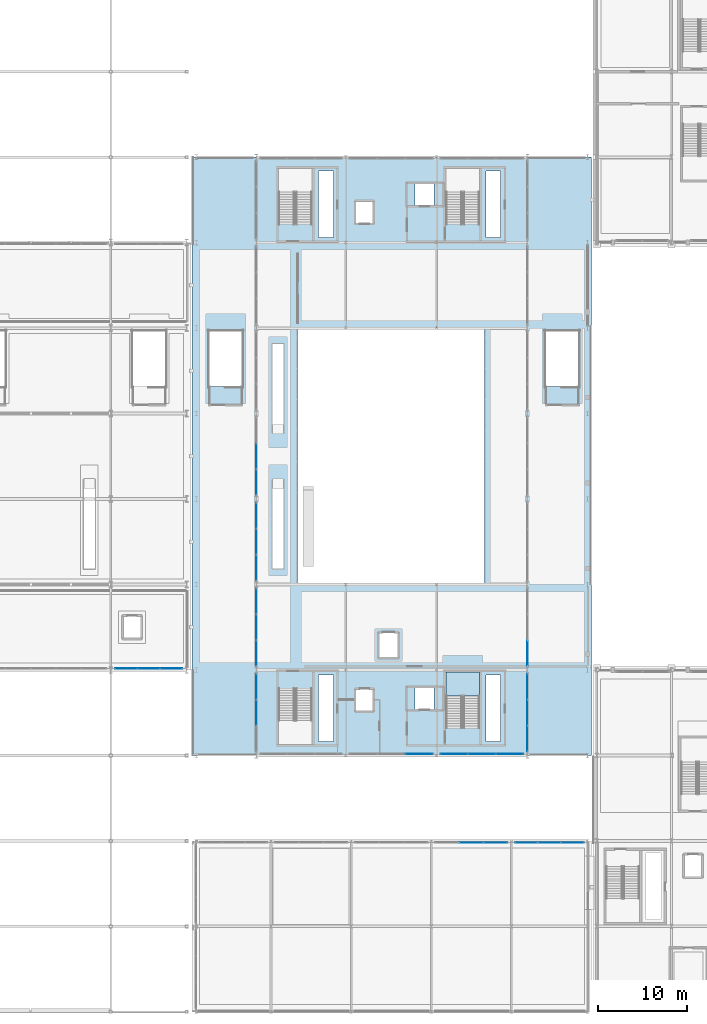
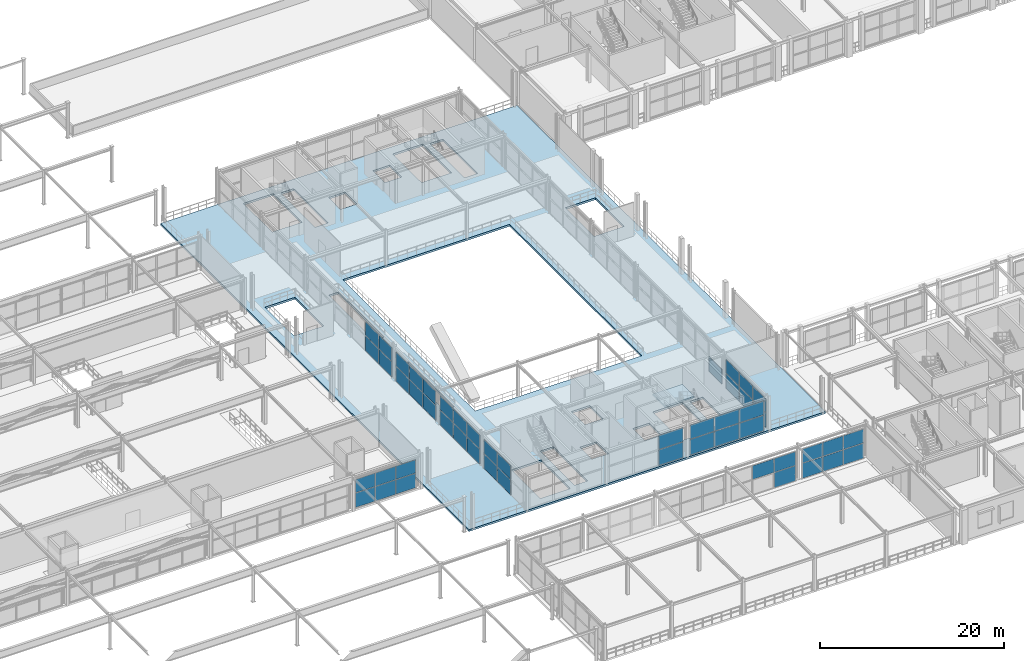
# One storey, part 60 of 125: 50 plates, 2 slabs, 12 elements without a shape of their own.
"""IFC4 building model written with IfcOpenShell, lengths in metres."""

from ifc_helpers import new_model, si_unit, direction, frame, origin, origin_2d, place, context, subcontext, project, spatial, polyline, rectangle, outline, extrude, material, layer, layer_set, type_object, element, aggregate, save


model = new_model("IFC4")

# Units and contexts
model_context = context("Model", 3, precision=1e-05, world=origin(), true_north=direction((0.0, 1.0)))
body_context = subcontext(model_context, "Body", "Model", "MODEL_VIEW")
ifc_project = project(units=[si_unit("LENGTHUNIT", "METRE"), si_unit("AREAUNIT", "SQUARE_METRE"), si_unit("VOLUMEUNIT", "CUBIC_METRE"), si_unit("PLANEANGLEUNIT", "RADIAN"), si_unit("MASSUNIT", "GRAM", prefix="KILO")], contexts=[model_context])

# Site, building, storey
site_placement = place(None, origin())
site = spatial("IfcSite", under=ifc_project, at=site_placement, CompositionType="ELEMENT")
building_placement = place(site_placement, origin())
building = spatial("IfcBuilding", under=site, at=building_placement, Name="Myrtia Square Station", CompositionType="ELEMENT")
storey_placement = place(building_placement, frame((0.0, 0.0, 6.0)))
storey = spatial("IfcBuildingStorey", under=building, at=storey_placement, Name="L01", CompositionType="ELEMENT", Elevation=6.0)

# Curtain wall, plates
ifc_material_1 = material(Name="Dark bronze anodised aluminium", Category="aluminium")
ifc_layer_1 = layer(ifc_material_1, 0.159912109375, Name="Dark bronze anodised aluminium")
ifc_layer_set_1 = layer_set([ifc_layer_1], Name="Dark bronze anodised aluminium")
curtain_wall_type_1 = type_object("IfcCurtainWallType", Name="CW-TYPE-04-880x400", PredefinedType="USERDEFINED", material=ifc_layer_set_1)
curtain_wall_1_placement = place(storey_placement, origin())
curtain_wall_1 = element("IfcCurtainWall", 1, at=curtain_wall_1_placement, inside=storey, type_object=curtain_wall_type_1, Name="Concourse curtain wall CW-L01-006", ObjectType="CONCOURSE CURTAIN WALL", PredefinedType="USERDEFINED")
ifc_material_2 = material(Name="Tinted low-E solar control glass", Category="glass")
ifc_layer_2 = layer(ifc_material_2, 0.02392578125, Name="Tinted low-E solar control glass")
ifc_layer_set_2 = layer_set([ifc_layer_2], Name="Tinted low-E solar control glass")
plate_type_1 = type_object("IfcPlateType", Name="CWP-GLZ-24", PredefinedType="CURTAIN_PANEL", material=ifc_layer_set_2)
plate_1_placement = place(storey_placement, frame((109.800048828125, 30.685302734375, 0.0751953125), z_axis=(0.0, 0.0, 1.0), x_axis=(0.0, 1.0, 0.0)))
plate_1 = element("IfcPlate", 2, at=plate_1_placement, type_object=plate_type_1, Name="CW-006 panel 1.1", PredefinedType="CURTAIN_PANEL", context=body_context, shape_type="SweptSolid", body=[
    extrude(rectangle(XDim=2.82080078125, YDim=0.02392578125, at=origin_2d()), origin(), (0.0, 0.0, 1.0), 1.967529296875),
])
plate_2_placement = place(storey_placement, frame((109.800048828125, 30.685302734375, 2.117431640625), z_axis=(0.0, 0.0, 1.0), x_axis=(0.0, 1.0, 0.0)))
plate_2 = element("IfcPlate", 3, at=plate_2_placement, type_object=plate_type_1, Name="CW-006 panel 1.2", PredefinedType="CURTAIN_PANEL", context=body_context, shape_type="SweptSolid", body=[
    extrude(rectangle(XDim=2.82080078125, YDim=0.02392578125, at=origin_2d()), origin(), (0.0, 0.0, 1.0), 1.8076171875),
])
plate_3_placement = place(storey_placement, frame((109.800048828125, 33.60009765625, 0.0751953125), z_axis=(0.0, 0.0, 1.0), x_axis=(0.0, 1.0, 0.0)))
plate_3 = element("IfcPlate", 4, at=plate_3_placement, type_object=plate_type_1, Name="CW-006 panel 2.1", PredefinedType="CURTAIN_PANEL", context=body_context, shape_type="SweptSolid", body=[
    extrude(rectangle(XDim=2.8583984375, YDim=0.02392578125, at=origin_2d()), origin(), (0.0, 0.0, 1.0), 1.967529296875),
])
plate_4_placement = place(storey_placement, frame((109.800048828125, 33.60009765625, 2.117431640625), z_axis=(0.0, 0.0, 1.0), x_axis=(0.0, 1.0, 0.0)))
plate_4 = element("IfcPlate", 5, at=plate_4_placement, type_object=plate_type_1, Name="CW-006 panel 2.2", PredefinedType="CURTAIN_PANEL", context=body_context, shape_type="SweptSolid", body=[
    extrude(rectangle(XDim=2.8583984375, YDim=0.02392578125, at=origin_2d()), origin(), (0.0, 0.0, 1.0), 1.8076171875),
])
plate_5_placement = place(storey_placement, frame((109.800048828125, 36.5146484375, 0.0751953125), z_axis=(0.0, 0.0, 1.0), x_axis=(0.0, 1.0, 0.0)))
plate_5 = element("IfcPlate", 6, at=plate_5_placement, type_object=plate_type_1, Name="CW-006 panel 3.1", PredefinedType="CURTAIN_PANEL", context=body_context, shape_type="SweptSolid", body=[
    extrude(rectangle(XDim=2.82080078125, YDim=0.02392578125, at=origin_2d()), origin(), (0.0, 0.0, 1.0), 1.967529296875),
])
plate_6_placement = place(storey_placement, frame((109.800048828125, 36.5146484375, 2.117431640625), z_axis=(0.0, 0.0, 1.0), x_axis=(0.0, 1.0, 0.0)))
plate_6 = element("IfcPlate", 7, at=plate_6_placement, type_object=plate_type_1, Name="CW-006 panel 3.2", PredefinedType="CURTAIN_PANEL", context=body_context, shape_type="SweptSolid", body=[
    extrude(rectangle(XDim=2.82080078125, YDim=0.02392578125, at=origin_2d()), origin(), (0.0, 0.0, 1.0), 1.8076171875),
])
aggregate(curtain_wall_1, [plate_1, plate_2, plate_3, plate_4, plate_5, plate_6])

ifc_layer_3 = layer(ifc_material_1, 0.159912109375, Name="Dark bronze anodised aluminium")
ifc_layer_set_3 = layer_set([ifc_layer_3], Name="Dark bronze anodised aluminium")
curtain_wall_type_2 = type_object("IfcCurtainWallType", Name="CW-TYPE-03-880x400", PredefinedType="USERDEFINED", material=ifc_layer_set_3)
curtain_wall_2_placement = place(storey_placement, origin())
curtain_wall_2 = element("IfcCurtainWall", 8, at=curtain_wall_2_placement, inside=storey, type_object=curtain_wall_type_2, Name="Concourse curtain wall CW-L01-007", ObjectType="CONCOURSE CURTAIN WALL", PredefinedType="USERDEFINED")
plate_7_placement = place(storey_placement, frame((79.35009765625, 40.282958984375, 0.06494140625), z_axis=(0.0, 0.0, 1.0), x_axis=(0.0, 1.0, 0.0)))
plate_7 = element("IfcPlate", 9, at=plate_7_placement, type_object=plate_type_1, Name="CW-007 panel 1.1", PredefinedType="CURTAIN_PANEL", context=body_context, shape_type="SweptSolid", body=[
    extrude(rectangle(XDim=2.8359375, YDim=0.02392578125, at=origin_2d()), origin(), (0.0, 0.0, 1.0), 1.982421875),
])
plate_8_placement = place(storey_placement, frame((79.35009765625, 40.282958984375, 2.1123046875), z_axis=(0.0, 0.0, 1.0), x_axis=(0.0, 1.0, 0.0)))
plate_8 = element("IfcPlate", 10, at=plate_8_placement, type_object=plate_type_1, Name="CW-007 panel 1.2", PredefinedType="CURTAIN_PANEL", context=body_context, shape_type="SweptSolid", body=[
    extrude(rectangle(XDim=2.8359375, YDim=0.02392578125, at=origin_2d()), origin(), (0.0, 0.0, 1.0), 1.822509765625),
])
plate_9_placement = place(storey_placement, frame((79.35009765625, 43.199951171875, 0.06494140625), z_axis=(0.0, 0.0, 1.0), x_axis=(0.0, 1.0, 0.0)))
plate_9 = element("IfcPlate", 11, at=plate_9_placement, type_object=plate_type_1, Name="CW-007 panel 2.1", PredefinedType="CURTAIN_PANEL", context=body_context, shape_type="SweptSolid", body=[
    extrude(rectangle(XDim=2.868408203125, YDim=0.02392578125, at=origin_2d()), origin(), (0.0, 0.0, 1.0), 1.982421875),
])
plate_10_placement = place(storey_placement, frame((79.35009765625, 43.199951171875, 2.1123046875), z_axis=(0.0, 0.0, 1.0), x_axis=(0.0, 1.0, 0.0)))
plate_10 = element("IfcPlate", 12, at=plate_10_placement, type_object=plate_type_1, Name="CW-007 panel 2.2", PredefinedType="CURTAIN_PANEL", context=body_context, shape_type="SweptSolid", body=[
    extrude(rectangle(XDim=2.868408203125, YDim=0.02392578125, at=origin_2d()), origin(), (0.0, 0.0, 1.0), 1.822509765625),
])
plate_11_placement = place(storey_placement, frame((79.35009765625, 46.1171875, 0.06494140625), z_axis=(0.0, 0.0, 1.0), x_axis=(0.0, 1.0, 0.0)))
plate_11 = element("IfcPlate", 13, at=plate_11_placement, type_object=plate_type_1, Name="CW-007 panel 3.1", PredefinedType="CURTAIN_PANEL", context=body_context, shape_type="SweptSolid", body=[
    extrude(rectangle(XDim=2.8359375, YDim=0.02392578125, at=origin_2d()), origin(), (0.0, 0.0, 1.0), 1.982421875),
])
plate_12_placement = place(storey_placement, frame((79.35009765625, 46.1171875, 2.1123046875), z_axis=(0.0, 0.0, 1.0), x_axis=(0.0, 1.0, 0.0)))
plate_12 = element("IfcPlate", 14, at=plate_12_placement, type_object=plate_type_1, Name="CW-007 panel 3.2", PredefinedType="CURTAIN_PANEL", context=body_context, shape_type="SweptSolid", body=[
    extrude(rectangle(XDim=2.8359375, YDim=0.02392578125, at=origin_2d()), origin(), (0.0, 0.0, 1.0), 1.822509765625),
])
aggregate(curtain_wall_2, [plate_7, plate_8, plate_9, plate_10, plate_11, plate_12])

curtain_wall_3_placement = place(storey_placement, origin())
curtain_wall_3 = element("IfcCurtainWall", 15, at=curtain_wall_3_placement, inside=storey, type_object=curtain_wall_type_2, Name="Concourse curtain wall CW-L01-011", ObjectType="CONCOURSE CURTAIN WALL", PredefinedType="USERDEFINED")
plate_13_placement = place(storey_placement, frame((79.35009765625, 59.48291015625, 0.06494140625), z_axis=(0.0, 0.0, 1.0), x_axis=(0.0, 1.0, 0.0)))
plate_13 = element("IfcPlate", 16, at=plate_13_placement, type_object=plate_type_1, Name="CW-011 panel 1.1", PredefinedType="CURTAIN_PANEL", context=body_context, shape_type="SweptSolid", body=[
    extrude(rectangle(XDim=2.8359375, YDim=0.02392578125, at=origin_2d()), origin(), (0.0, 0.0, 1.0), 1.982421875),
])
plate_14_placement = place(storey_placement, frame((79.35009765625, 59.48291015625, 2.1123046875), z_axis=(0.0, 0.0, 1.0), x_axis=(0.0, 1.0, 0.0)))
plate_14 = element("IfcPlate", 17, at=plate_14_placement, type_object=plate_type_1, Name="CW-011 panel 1.2", PredefinedType="CURTAIN_PANEL", context=body_context, shape_type="SweptSolid", body=[
    extrude(rectangle(XDim=2.8359375, YDim=0.02392578125, at=origin_2d()), origin(), (0.0, 0.0, 1.0), 1.822509765625),
])
plate_15_placement = place(storey_placement, frame((79.35009765625, 62.39990234375, 0.06494140625), z_axis=(0.0, 0.0, 1.0), x_axis=(0.0, 1.0, 0.0)))
plate_15 = element("IfcPlate", 18, at=plate_15_placement, type_object=plate_type_1, Name="CW-011 panel 2.1", PredefinedType="CURTAIN_PANEL", context=body_context, shape_type="SweptSolid", body=[
    extrude(rectangle(XDim=2.868408203125, YDim=0.02392578125, at=origin_2d()), origin(), (0.0, 0.0, 1.0), 1.982421875),
])
plate_16_placement = place(storey_placement, frame((79.35009765625, 62.39990234375, 2.1123046875), z_axis=(0.0, 0.0, 1.0), x_axis=(0.0, 1.0, 0.0)))
plate_16 = element("IfcPlate", 19, at=plate_16_placement, type_object=plate_type_1, Name="CW-011 panel 2.2", PredefinedType="CURTAIN_PANEL", context=body_context, shape_type="SweptSolid", body=[
    extrude(rectangle(XDim=2.868408203125, YDim=0.02392578125, at=origin_2d()), origin(), (0.0, 0.0, 1.0), 1.822509765625),
])
aggregate(curtain_wall_3, [plate_13, plate_14, plate_15, plate_16])

ifc_layer_4 = layer(ifc_material_1, 0.159912109375, Name="Dark bronze anodised aluminium")
ifc_layer_set_4 = layer_set([ifc_layer_4], Name="Dark bronze anodised aluminium")
curtain_wall_type_3 = type_object("IfcCurtainWallType", Name="CW-TYPE-10-946x415", PredefinedType="USERDEFINED", material=ifc_layer_set_4)
curtain_wall_4_placement = place(storey_placement, origin())
curtain_wall_4 = element("IfcCurtainWall", 20, at=curtain_wall_4_placement, inside=storey, type_object=curtain_wall_type_3, Name="Concourse curtain wall CW-L01-043", ObjectType="CONCOURSE CURTAIN WALL", PredefinedType="USERDEFINED")
ifc_layer_5 = layer(ifc_material_2, 0.028076171875, Name="Tinted low-E solar control glass")
ifc_layer_set_5 = layer_set([ifc_layer_5], Name="Tinted low-E solar control glass")
plate_type_2 = type_object("IfcPlateType", Name="CWP-GLZ-28", PredefinedType="CURTAIN_PANEL", material=ifc_layer_set_5)
plate_17_placement = place(storey_placement, frame((97.634521484375, 28.949951171875, 0.074951171875), z_axis=(0.0, 0.0, 1.0), x_axis=(1.0, 0.0, 0.0)))
plate_17 = element("IfcPlate", 21, at=plate_17_placement, type_object=plate_type_2, Name="CW-043 panel 3.1", PredefinedType="CURTAIN_PANEL", context=body_context, shape_type="SweptSolid", body=[
    extrude(rectangle(XDim=3.040771484375, YDim=0.028076171875, at=origin_2d()), origin(), (0.0, 0.0, 1.0), 2.04541015625),
])
plate_18_placement = place(storey_placement, frame((97.634521484375, 28.949951171875, 2.195556640625), z_axis=(0.0, 0.0, 1.0), x_axis=(1.0, 0.0, 0.0)))
plate_18 = element("IfcPlate", 22, at=plate_18_placement, type_object=plate_type_2, Name="CW-043 panel 3.2", PredefinedType="CURTAIN_PANEL", context=body_context, shape_type="SweptSolid", body=[
    extrude(rectangle(XDim=3.040771484375, YDim=0.028076171875, at=origin_2d()), origin(), (0.0, 0.0, 1.0), 1.87939453125),
])
aggregate(curtain_wall_4, [plate_17, plate_18])

ifc_layer_6 = layer(ifc_material_1, 0.159912109375, Name="Dark bronze anodised aluminium")
ifc_layer_set_6 = layer_set([ifc_layer_6], Name="Dark bronze anodised aluminium")
curtain_wall_type_4 = type_object("IfcCurtainWallType", Name="CW-TYPE-34-781x400", PredefinedType="USERDEFINED", material=ifc_layer_set_6)
curtain_wall_5_placement = place(storey_placement, origin())
curtain_wall_5 = element("IfcCurtainWall", 23, at=curtain_wall_5_placement, inside=storey, type_object=curtain_wall_type_4, Name="Concourse curtain wall CW-L01-112", ObjectType="CONCOURSE CURTAIN WALL", PredefinedType="USERDEFINED")
plate_19_placement = place(storey_placement, frame((109.68798828125, 19.0, 0.06494140625), z_axis=(0.0, 0.0, 1.0), x_axis=(1.0, 0.0, 0.0)))
plate_19 = element("IfcPlate", 24, at=plate_19_placement, type_object=plate_type_2, Name="CW-112 panel 1.1", PredefinedType="CURTAIN_PANEL", context=body_context, shape_type="SweptSolid", body=[
    extrude(rectangle(XDim=2.505859375, YDim=0.028076171875, at=origin_2d()), origin(), (0.0, 0.0, 1.0), 1.982421875),
])
plate_20_placement = place(storey_placement, frame((109.68798828125, 19.0, 2.1123046875), z_axis=(0.0, 0.0, 1.0), x_axis=(1.0, 0.0, 0.0)))
plate_20 = element("IfcPlate", 25, at=plate_20_placement, type_object=plate_type_2, Name="CW-112 panel 1.2", PredefinedType="CURTAIN_PANEL", context=body_context, shape_type="SweptSolid", body=[
    extrude(rectangle(XDim=2.505859375, YDim=0.028076171875, at=origin_2d()), origin(), (0.0, 0.0, 1.0), 1.822509765625),
])
plate_21_placement = place(storey_placement, frame((112.27490234375, 19.0, 0.06494140625), z_axis=(0.0, 0.0, 1.0), x_axis=(1.0, 0.0, 0.0)))
plate_21 = element("IfcPlate", 26, at=plate_21_placement, type_object=plate_type_2, Name="CW-112 panel 2.1", PredefinedType="CURTAIN_PANEL", context=body_context, shape_type="SweptSolid", body=[
    extrude(rectangle(XDim=2.538330078125, YDim=0.028076171875, at=origin_2d()), origin(), (0.0, 0.0, 1.0), 1.982421875),
])
plate_22_placement = place(storey_placement, frame((112.27490234375, 19.0, 2.1123046875), z_axis=(0.0, 0.0, 1.0), x_axis=(1.0, 0.0, 0.0)))
plate_22 = element("IfcPlate", 27, at=plate_22_placement, type_object=plate_type_2, Name="CW-112 panel 2.2", PredefinedType="CURTAIN_PANEL", context=body_context, shape_type="SweptSolid", body=[
    extrude(rectangle(XDim=2.538330078125, YDim=0.028076171875, at=origin_2d()), origin(), (0.0, 0.0, 1.0), 1.822509765625),
])
plate_23_placement = place(storey_placement, frame((114.862060546875, 19.0, 0.06494140625), z_axis=(0.0, 0.0, 1.0), x_axis=(1.0, 0.0, 0.0)))
plate_23 = element("IfcPlate", 28, at=plate_23_placement, type_object=plate_type_2, Name="CW-112 panel 3.1", PredefinedType="CURTAIN_PANEL", context=body_context, shape_type="SweptSolid", body=[
    extrude(rectangle(XDim=2.505859375, YDim=0.028076171875, at=origin_2d()), origin(), (0.0, 0.0, 1.0), 1.982421875),
])
plate_24_placement = place(storey_placement, frame((114.862060546875, 19.0, 2.1123046875), z_axis=(0.0, 0.0, 1.0), x_axis=(1.0, 0.0, 0.0)))
plate_24 = element("IfcPlate", 29, at=plate_24_placement, type_object=plate_type_2, Name="CW-112 panel 3.2", PredefinedType="CURTAIN_PANEL", context=body_context, shape_type="SweptSolid", body=[
    extrude(rectangle(XDim=2.505859375, YDim=0.028076171875, at=origin_2d()), origin(), (0.0, 0.0, 1.0), 1.822509765625),
])
aggregate(curtain_wall_5, [plate_19, plate_20, plate_21, plate_22, plate_23, plate_24])

curtain_wall_6_placement = place(storey_placement, origin())
curtain_wall_6 = element("IfcCurtainWall", 30, at=curtain_wall_6_placement, inside=storey, type_object=curtain_wall_type_2, Name="Concourse curtain wall CW-L01-005", ObjectType="CONCOURSE CURTAIN WALL", PredefinedType="USERDEFINED")
ifc_layer_7 = layer(ifc_material_2, 0.031982421875, Name="Tinted low-E solar control glass")
ifc_layer_set_7 = layer_set([ifc_layer_7], Name="Tinted low-E solar control glass")
plate_type_3 = type_object("IfcPlateType", Name="CWP-GLZ-32", PredefinedType="CURTAIN_PANEL", material=ifc_layer_set_7)
plate_25_placement = place(storey_placement, frame((79.35009765625, 33.60009765625, 0.06494140625), z_axis=(0.0, 0.0, 1.0), x_axis=(0.0, 1.0, 0.0)))
plate_25 = element("IfcPlate", 31, at=plate_25_placement, type_object=plate_type_3, Name="CW-005 panel 2.1", PredefinedType="CURTAIN_PANEL", context=body_context, shape_type="SweptSolid", body=[
    extrude(rectangle(XDim=2.868408203125, YDim=0.031982421875, at=origin_2d()), origin(), (0.0, 0.0, 1.0), 1.982421875),
])
plate_26_placement = place(storey_placement, frame((79.35009765625, 33.60009765625, 2.1123046875), z_axis=(0.0, 0.0, 1.0), x_axis=(0.0, 1.0, 0.0)))
plate_26 = element("IfcPlate", 32, at=plate_26_placement, type_object=plate_type_3, Name="CW-005 panel 2.2", PredefinedType="CURTAIN_PANEL", context=body_context, shape_type="SweptSolid", body=[
    extrude(rectangle(XDim=2.868408203125, YDim=0.031982421875, at=origin_2d()), origin(), (0.0, 0.0, 1.0), 1.822509765625),
])
plate_27_placement = place(storey_placement, frame((79.35009765625, 36.51708984375, 0.06494140625), z_axis=(0.0, 0.0, 1.0), x_axis=(0.0, 1.0, 0.0)))
plate_27 = element("IfcPlate", 33, at=plate_27_placement, type_object=plate_type_3, Name="CW-005 panel 3.1", PredefinedType="CURTAIN_PANEL", context=body_context, shape_type="SweptSolid", body=[
    extrude(rectangle(XDim=2.8359375, YDim=0.031982421875, at=origin_2d()), origin(), (0.0, 0.0, 1.0), 1.982421875),
])
plate_28_placement = place(storey_placement, frame((79.35009765625, 36.51708984375, 2.1123046875), z_axis=(0.0, 0.0, 1.0), x_axis=(0.0, 1.0, 0.0)))
plate_28 = element("IfcPlate", 34, at=plate_28_placement, type_object=plate_type_3, Name="CW-005 panel 3.2", PredefinedType="CURTAIN_PANEL", context=body_context, shape_type="SweptSolid", body=[
    extrude(rectangle(XDim=2.8359375, YDim=0.031982421875, at=origin_2d()), origin(), (0.0, 0.0, 1.0), 1.822509765625),
])
aggregate(curtain_wall_6, [plate_25, plate_26, plate_27, plate_28])

# Curtain wall, plate
curtain_wall_7_placement = place(storey_placement, origin())
curtain_wall_7 = element("IfcCurtainWall", 35, at=curtain_wall_7_placement, inside=storey, type_object=curtain_wall_type_1, Name="Concourse curtain wall CW-L01-008", ObjectType="CONCOURSE CURTAIN WALL", PredefinedType="USERDEFINED")
plate_29_placement = place(storey_placement, frame((109.800048828125, 40.285400390625, 0.0751953125), z_axis=(0.0, 0.0, 1.0), x_axis=(0.0, 1.0, 0.0)))
plate_29 = element("IfcPlate", 36, at=plate_29_placement, type_object=plate_type_3, Name="CW-008 panel 1.1", PredefinedType="CURTAIN_PANEL", context=body_context, shape_type="SweptSolid", body=[
    extrude(rectangle(XDim=2.82080078125, YDim=0.031982421875, at=origin_2d()), origin(), (0.0, 0.0, 1.0), 1.967529296875),
])
aggregate(curtain_wall_7, [plate_29])

# Curtain wall, plates
curtain_wall_8_placement = place(storey_placement, origin())
curtain_wall_8 = element("IfcCurtainWall", 37, at=curtain_wall_8_placement, inside=storey, type_object=curtain_wall_type_2, Name="Concourse curtain wall CW-L01-009", ObjectType="CONCOURSE CURTAIN WALL", PredefinedType="USERDEFINED")
plate_30_placement = place(storey_placement, frame((79.35009765625, 49.8828125, 0.06494140625), z_axis=(0.0, 0.0, 1.0), x_axis=(0.0, 1.0, 0.0)))
plate_30 = element("IfcPlate", 38, at=plate_30_placement, type_object=plate_type_3, Name="CW-009 panel 1.1", PredefinedType="CURTAIN_PANEL", context=body_context, shape_type="SweptSolid", body=[
    extrude(rectangle(XDim=2.8359375, YDim=0.031982421875, at=origin_2d()), origin(), (0.0, 0.0, 1.0), 1.982421875),
])
plate_31_placement = place(storey_placement, frame((79.35009765625, 49.8828125, 2.1123046875), z_axis=(0.0, 0.0, 1.0), x_axis=(0.0, 1.0, 0.0)))
plate_31 = element("IfcPlate", 39, at=plate_31_placement, type_object=plate_type_3, Name="CW-009 panel 1.2", PredefinedType="CURTAIN_PANEL", context=body_context, shape_type="SweptSolid", body=[
    extrude(rectangle(XDim=2.8359375, YDim=0.031982421875, at=origin_2d()), origin(), (0.0, 0.0, 1.0), 1.822509765625),
])
plate_32_placement = place(storey_placement, frame((79.35009765625, 52.800048828125, 0.06494140625), z_axis=(0.0, 0.0, 1.0), x_axis=(0.0, 1.0, 0.0)))
plate_32 = element("IfcPlate", 40, at=plate_32_placement, type_object=plate_type_3, Name="CW-009 panel 2.1", PredefinedType="CURTAIN_PANEL", context=body_context, shape_type="SweptSolid", body=[
    extrude(rectangle(XDim=2.868408203125, YDim=0.031982421875, at=origin_2d()), origin(), (0.0, 0.0, 1.0), 1.982421875),
])
plate_33_placement = place(storey_placement, frame((79.35009765625, 52.800048828125, 2.1123046875), z_axis=(0.0, 0.0, 1.0), x_axis=(0.0, 1.0, 0.0)))
plate_33 = element("IfcPlate", 41, at=plate_33_placement, type_object=plate_type_3, Name="CW-009 panel 2.2", PredefinedType="CURTAIN_PANEL", context=body_context, shape_type="SweptSolid", body=[
    extrude(rectangle(XDim=2.868408203125, YDim=0.031982421875, at=origin_2d()), origin(), (0.0, 0.0, 1.0), 1.822509765625),
])
plate_34_placement = place(storey_placement, frame((79.35009765625, 55.717041015625, 0.06494140625), z_axis=(0.0, 0.0, 1.0), x_axis=(0.0, 1.0, 0.0)))
plate_34 = element("IfcPlate", 42, at=plate_34_placement, type_object=plate_type_3, Name="CW-009 panel 3.1", PredefinedType="CURTAIN_PANEL", context=body_context, shape_type="SweptSolid", body=[
    extrude(rectangle(XDim=2.8359375, YDim=0.031982421875, at=origin_2d()), origin(), (0.0, 0.0, 1.0), 1.982421875),
])
plate_35_placement = place(storey_placement, frame((79.35009765625, 55.717041015625, 2.1123046875), z_axis=(0.0, 0.0, 1.0), x_axis=(0.0, 1.0, 0.0)))
plate_35 = element("IfcPlate", 43, at=plate_35_placement, type_object=plate_type_3, Name="CW-009 panel 3.2", PredefinedType="CURTAIN_PANEL", context=body_context, shape_type="SweptSolid", body=[
    extrude(rectangle(XDim=2.8359375, YDim=0.031982421875, at=origin_2d()), origin(), (0.0, 0.0, 1.0), 1.822509765625),
])
aggregate(curtain_wall_8, [plate_30, plate_31, plate_32, plate_33, plate_34, plate_35])

ifc_layer_8 = layer(ifc_material_1, 0.159912109375, Name="Dark bronze anodised aluminium")
ifc_layer_set_8 = layer_set([ifc_layer_8], Name="Dark bronze anodised aluminium")
curtain_wall_type_5 = type_object("IfcCurtainWallType", Name="CW-TYPE-11-943x415", PredefinedType="USERDEFINED", material=ifc_layer_set_8)
curtain_wall_9_placement = place(storey_placement, origin())
curtain_wall_9 = element("IfcCurtainWall", 44, at=curtain_wall_9_placement, inside=storey, type_object=curtain_wall_type_5, Name="Concourse curtain wall CW-L01-045", ObjectType="CONCOURSE CURTAIN WALL", PredefinedType="USERDEFINED")
ifc_layer_9 = layer(ifc_material_2, 0.035888671875, Name="Tinted low-E solar control glass")
ifc_layer_set_9 = layer_set([ifc_layer_9], Name="Tinted low-E solar control glass")
plate_type_4 = type_object("IfcPlateType", Name="CWP-GLZ-36", PredefinedType="CURTAIN_PANEL", material=ifc_layer_set_9)
plate_36_placement = place(storey_placement, frame((101.560302734375, 28.949951171875, 0.074951171875), z_axis=(0.0, 0.0, 1.0), x_axis=(1.0, 0.0, 0.0)))
plate_36 = element("IfcPlate", 45, at=plate_36_placement, type_object=plate_type_4, Name="CW-045 panel 1.1", PredefinedType="CURTAIN_PANEL", context=body_context, shape_type="SweptSolid", body=[
    extrude(rectangle(XDim=3.03076171875, YDim=0.035888671875, at=origin_2d()), origin(), (0.0, 0.0, 1.0), 2.04541015625),
])
plate_37_placement = place(storey_placement, frame((101.560302734375, 28.949951171875, 2.195556640625), z_axis=(0.0, 0.0, 1.0), x_axis=(1.0, 0.0, 0.0)))
plate_37 = element("IfcPlate", 46, at=plate_37_placement, type_object=plate_type_4, Name="CW-045 panel 1.2", PredefinedType="CURTAIN_PANEL", context=body_context, shape_type="SweptSolid", body=[
    extrude(rectangle(XDim=3.03076171875, YDim=0.035888671875, at=origin_2d()), origin(), (0.0, 0.0, 1.0), 1.87939453125),
])
plate_38_placement = place(storey_placement, frame((104.68505859375, 28.949951171875, 0.074951171875), z_axis=(0.0, 0.0, 1.0), x_axis=(1.0, 0.0, 0.0)))
plate_38 = element("IfcPlate", 47, at=plate_38_placement, type_object=plate_type_4, Name="CW-045 panel 2.1", PredefinedType="CURTAIN_PANEL", context=body_context, shape_type="SweptSolid", body=[
    extrude(rectangle(XDim=3.068359375, YDim=0.035888671875, at=origin_2d()), origin(), (0.0, 0.0, 1.0), 2.04541015625),
])
plate_39_placement = place(storey_placement, frame((104.68505859375, 28.949951171875, 2.195556640625), z_axis=(0.0, 0.0, 1.0), x_axis=(1.0, 0.0, 0.0)))
plate_39 = element("IfcPlate", 48, at=plate_39_placement, type_object=plate_type_4, Name="CW-045 panel 2.2", PredefinedType="CURTAIN_PANEL", context=body_context, shape_type="SweptSolid", body=[
    extrude(rectangle(XDim=3.068359375, YDim=0.035888671875, at=origin_2d()), origin(), (0.0, 0.0, 1.0), 1.87939453125),
])
plate_40_placement = place(storey_placement, frame((107.8095703125, 28.949951171875, 0.074951171875), z_axis=(0.0, 0.0, 1.0), x_axis=(1.0, 0.0, 0.0)))
plate_40 = element("IfcPlate", 49, at=plate_40_placement, type_object=plate_type_4, Name="CW-045 panel 3.1", PredefinedType="CURTAIN_PANEL", context=body_context, shape_type="SweptSolid", body=[
    extrude(rectangle(XDim=3.03076171875, YDim=0.035888671875, at=origin_2d()), origin(), (0.0, 0.0, 1.0), 2.04541015625),
])
plate_41_placement = place(storey_placement, frame((107.8095703125, 28.949951171875, 2.195556640625), z_axis=(0.0, 0.0, 1.0), x_axis=(1.0, 0.0, 0.0)))
plate_41 = element("IfcPlate", 50, at=plate_41_placement, type_object=plate_type_4, Name="CW-045 panel 3.2", PredefinedType="CURTAIN_PANEL", context=body_context, shape_type="SweptSolid", body=[
    extrude(rectangle(XDim=3.03076171875, YDim=0.035888671875, at=origin_2d()), origin(), (0.0, 0.0, 1.0), 1.87939453125),
])
aggregate(curtain_wall_9, [plate_36, plate_37, plate_38, plate_39, plate_40, plate_41])

ifc_layer_10 = layer(ifc_material_1, 0.159912109375, Name="Dark bronze anodised aluminium")
ifc_layer_set_10 = layer_set([ifc_layer_10], Name="Dark bronze anodised aluminium")
curtain_wall_type_6 = type_object("IfcCurtainWallType", Name="CW-TYPE-20-765x385", PredefinedType="USERDEFINED", material=ifc_layer_set_10)
curtain_wall_10_placement = place(storey_placement, origin())
curtain_wall_10 = element("IfcCurtainWall", 51, at=curtain_wall_10_placement, inside=storey, type_object=curtain_wall_type_6, Name="Concourse curtain wall CW-L01-071", ObjectType="CONCOURSE CURTAIN WALL", PredefinedType="USERDEFINED")
plate_42_placement = place(storey_placement, frame((64.739990234375, 38.550048828125, 0.06005859375), z_axis=(0.0, 0.0, 1.0), x_axis=(1.0, 0.0, 0.0)))
plate_42 = element("IfcPlate", 52, at=plate_42_placement, type_object=plate_type_4, Name="CW-071 panel 1.1", PredefinedType="CURTAIN_PANEL", context=body_context, shape_type="SweptSolid", body=[
    extrude(rectangle(XDim=2.4599609375, YDim=0.035888671875, at=origin_2d()), origin(), (0.0, 0.0, 1.0), 1.912109375),
])
plate_43_placement = place(storey_placement, frame((64.739990234375, 38.550048828125, 2.03173828125), z_axis=(0.0, 0.0, 1.0), x_axis=(1.0, 0.0, 0.0)))
plate_43 = element("IfcPlate", 53, at=plate_43_placement, type_object=plate_type_4, Name="CW-071 panel 1.2", PredefinedType="CURTAIN_PANEL", context=body_context, shape_type="SweptSolid", body=[
    extrude(rectangle(XDim=2.4599609375, YDim=0.035888671875, at=origin_2d()), origin(), (0.0, 0.0, 1.0), 1.758056640625),
])
plate_44_placement = place(storey_placement, frame((67.27490234375, 38.550048828125, 0.06005859375), z_axis=(0.0, 0.0, 1.0), x_axis=(1.0, 0.0, 0.0)))
plate_44 = element("IfcPlate", 54, at=plate_44_placement, type_object=plate_type_4, Name="CW-071 panel 2.1", PredefinedType="CURTAIN_PANEL", context=body_context, shape_type="SweptSolid", body=[
    extrude(rectangle(XDim=2.489990234375, YDim=0.035888671875, at=origin_2d()), origin(), (0.0, 0.0, 1.0), 1.912109375),
])
plate_45_placement = place(storey_placement, frame((67.27490234375, 38.550048828125, 2.03173828125), z_axis=(0.0, 0.0, 1.0), x_axis=(1.0, 0.0, 0.0)))
plate_45 = element("IfcPlate", 55, at=plate_45_placement, type_object=plate_type_4, Name="CW-071 panel 2.2", PredefinedType="CURTAIN_PANEL", context=body_context, shape_type="SweptSolid", body=[
    extrude(rectangle(XDim=2.489990234375, YDim=0.035888671875, at=origin_2d()), origin(), (0.0, 0.0, 1.0), 1.758056640625),
])
plate_46_placement = place(storey_placement, frame((69.81005859375, 38.550048828125, 0.06005859375), z_axis=(0.0, 0.0, 1.0), x_axis=(1.0, 0.0, 0.0)))
plate_46 = element("IfcPlate", 56, at=plate_46_placement, type_object=plate_type_4, Name="CW-071 panel 3.1", PredefinedType="CURTAIN_PANEL", context=body_context, shape_type="SweptSolid", body=[
    extrude(rectangle(XDim=2.4599609375, YDim=0.035888671875, at=origin_2d()), origin(), (0.0, 0.0, 1.0), 1.912109375),
])
plate_47_placement = place(storey_placement, frame((69.81005859375, 38.550048828125, 2.03173828125), z_axis=(0.0, 0.0, 1.0), x_axis=(1.0, 0.0, 0.0)))
plate_47 = element("IfcPlate", 57, at=plate_47_placement, type_object=plate_type_4, Name="CW-071 panel 3.2", PredefinedType="CURTAIN_PANEL", context=body_context, shape_type="SweptSolid", body=[
    extrude(rectangle(XDim=2.4599609375, YDim=0.035888671875, at=origin_2d()), origin(), (0.0, 0.0, 1.0), 1.758056640625),
])
aggregate(curtain_wall_10, [plate_42, plate_43, plate_44, plate_45, plate_46, plate_47])

ifc_layer_11 = layer(ifc_material_1, 0.159912109375, Name="Dark bronze anodised aluminium")
ifc_layer_set_11 = layer_set([ifc_layer_11], Name="Dark bronze anodised aluminium")
curtain_wall_type_7 = type_object("IfcCurtainWallType", Name="CW-TYPE-32-826x400", PredefinedType="USERDEFINED", material=ifc_layer_set_11)
curtain_wall_11_placement = place(storey_placement, origin())
curtain_wall_11 = element("IfcCurtainWall", 58, at=curtain_wall_11_placement, inside=storey, type_object=curtain_wall_type_7, Name="Concourse curtain wall CW-L01-110", ObjectType="CONCOURSE CURTAIN WALL", PredefinedType="USERDEFINED")
plate_48_placement = place(storey_placement, frame((103.5, 19.0, 2.1123046875), z_axis=(0.0, 0.0, 1.0), x_axis=(1.0, 0.0, 0.0)))
plate_48 = element("IfcPlate", 59, at=plate_48_placement, type_object=plate_type_4, Name="CW-110 panel 2.2", PredefinedType="CURTAIN_PANEL", context=body_context, shape_type="SweptSolid", body=[
    extrude(rectangle(XDim=2.688232421875, YDim=0.035888671875, at=origin_2d()), origin(), (0.0, 0.0, 1.0), 1.822509765625),
])
plate_49_placement = place(storey_placement, frame((106.237060546875, 19.0, 0.06494140625), z_axis=(0.0, 0.0, 1.0), x_axis=(1.0, 0.0, 0.0)))
plate_49 = element("IfcPlate", 60, at=plate_49_placement, type_object=plate_type_4, Name="CW-110 panel 3.1", PredefinedType="CURTAIN_PANEL", context=body_context, shape_type="SweptSolid", body=[
    extrude(rectangle(XDim=2.65576171875, YDim=0.035888671875, at=origin_2d()), origin(), (0.0, 0.0, 1.0), 1.982421875),
])
plate_50_placement = place(storey_placement, frame((106.237060546875, 19.0, 2.1123046875), z_axis=(0.0, 0.0, 1.0), x_axis=(1.0, 0.0, 0.0)))
plate_50 = element("IfcPlate", 61, at=plate_50_placement, type_object=plate_type_4, Name="CW-110 panel 3.2", PredefinedType="CURTAIN_PANEL", context=body_context, shape_type="SweptSolid", body=[
    extrude(rectangle(XDim=2.65576171875, YDim=0.035888671875, at=origin_2d()), origin(), (0.0, 0.0, 1.0), 1.822509765625),
])
aggregate(curtain_wall_11, [plate_48, plate_49, plate_50])

# Slab
ifc_material_3 = material(Name="Concrete C35/45", Category="concrete")
ifc_layer_12 = layer(ifc_material_3, 0.260009765625, Name="Concrete C35/45")
ifc_layer_set_12 = layer_set([ifc_layer_12], Name="Concrete C35/45")
slab_type_1 = type_object("IfcSlabType", Name="SLB-FLR-260", PredefinedType="FLOOR", material=ifc_layer_set_12)
slab_1_placement = place(storey_placement, frame((0.0, 0.0, -0.260009765625)))
element("IfcSlab", 62, at=slab_1_placement, inside=storey, type_object=slab_type_1, Name="Structural floor slab SLB-L01-V2", PredefinedType="FLOOR", context=body_context, shape_type="SweptSolid", body=[
    extrude(outline(polyline([(72.14990234375, 28.800048828125), (117.0, 28.800048828125), (117.0, 96.0), (72.14990234375, 96.0), (72.14990234375, 28.800048828125)]), holes=[polyline([(84.0, 48.0), (84.0, 76.800048828125), (105.0, 76.800048828125), (105.0, 48.0), (84.0, 48.0)]), polyline([(86.35009765625, 30.35009765625), (86.35009765625, 37.85009765625), (88.0, 37.85009765625), (88.0, 30.35009765625), (86.35009765625, 30.35009765625)]), polyline([(86.35009765625, 86.949951171875), (86.35009765625, 94.449951171875), (88.0, 94.449951171875), (88.0, 86.949951171875), (86.35009765625, 86.949951171875)]), polyline([(105.14990234375, 30.35009765625), (105.14990234375, 37.85009765625), (106.800048828125, 37.85009765625), (106.800048828125, 30.35009765625), (105.14990234375, 30.35009765625)]), polyline([(105.14990234375, 86.949951171875), (105.14990234375, 94.449951171875), (106.800048828125, 94.449951171875), (106.800048828125, 86.949951171875), (105.14990234375, 86.949951171875)]), polyline([(81.85009765625, 30.050048828125), (81.85009765625, 36.320068359375), (85.610107421875, 36.320068359375), (85.610107421875, 30.050048828125), (81.85009765625, 30.050048828125)]), polyline([(81.85009765625, 88.47998046875), (81.85009765625, 94.75), (85.610107421875, 94.75), (85.610107421875, 88.47998046875), (81.85009765625, 88.47998046875)]), polyline([(100.64990234375, 31.8798828125), (100.64990234375, 38.14990234375), (104.409912109375, 38.14990234375), (104.409912109375, 31.8798828125), (100.64990234375, 31.8798828125)]), polyline([(100.64990234375, 88.47998046875), (100.64990234375, 94.75), (104.409912109375, 94.75), (104.409912109375, 88.47998046875), (100.64990234375, 88.47998046875)]), polyline([(74.0400390625, 70.22998046875), (74.0400390625, 76.5), (77.800048828125, 76.5), (77.800048828125, 70.22998046875), (74.0400390625, 70.22998046875)]), polyline([(111.840087890625, 70.22998046875), (111.840087890625, 76.5), (115.60009765625, 76.5), (115.60009765625, 70.22998046875), (111.840087890625, 70.22998046875)]), polyline([(90.449951171875, 33.699951171875), (90.449951171875, 36.300048828125), (92.550048828125, 36.300048828125), (92.550048828125, 33.699951171875), (90.449951171875, 33.699951171875)]), polyline([(90.449951171875, 88.5), (90.449951171875, 91.10009765625), (92.550048828125, 91.10009765625), (92.550048828125, 88.5), (90.449951171875, 88.5)]), polyline([(97.199951171875, 33.889892578125), (97.199951171875, 36.489990234375), (99.300048828125, 36.489990234375), (99.300048828125, 33.889892578125), (97.199951171875, 33.889892578125)]), polyline([(97.199951171875, 90.489990234375), (97.199951171875, 93.090087890625), (99.300048828125, 93.090087890625), (99.300048828125, 90.489990234375), (97.199951171875, 90.489990234375)]), polyline([(93.050048828125, 39.75), (93.050048828125, 42.64990234375), (95.35009765625, 42.64990234375), (95.35009765625, 39.75), (93.050048828125, 39.75)]), polyline([(81.18994140625, 49.800048828125), (81.18994140625, 59.699951171875), (82.409912109375, 59.699951171875), (82.409912109375, 49.800048828125), (81.18994140625, 49.800048828125)]), polyline([(81.18994140625, 65.10009765625), (81.18994140625, 75.0), (82.409912109375, 75.0), (82.409912109375, 65.10009765625), (81.18994140625, 65.10009765625)])]), origin(), (0.0, 0.0, 1.0), 0.260009765625),
])

# Stair, slab
stair_type = type_object("IfcStairType", Name="STR-03-28R-1800W", PredefinedType="HALF_TURN_STAIR", material=ifc_material_3)
stair_placement = place(storey_placement, origin())
stair = element("IfcStair", 63, at=stair_placement, inside=storey, type_object=stair_type, Name="L01 Core escape stair ST03", PredefinedType="HALF_TURN_STAIR")
ifc_layer_13 = layer(ifc_material_3, 0.199951171875, Name="Concrete C35/45")
ifc_layer_set_13 = layer_set([ifc_layer_13], Name="Concrete C35/45")
slab_type_2 = type_object("IfcSlabType", Name="SLB-LAND-200", PredefinedType="LANDING", material=ifc_layer_set_13)
slab_2_placement = place(storey_placement, frame((0.0, 0.0, 2.199951171875)))
slab_2 = element("IfcSlab", 64, at=slab_2_placement, type_object=slab_type_2, Name="ST03 landing 1", PredefinedType="LANDING", context=body_context, shape_type="SweptSolid", body=[
    extrude(outline(polyline([(104.409912109375, 35.489990234375), (104.409912109375, 38.14990234375), (100.64990234375, 38.14990234375), (100.64990234375, 35.489990234375), (104.409912109375, 35.489990234375)])), origin(), (0.0, 0.0, 1.0), 0.199951171875),
])
aggregate(stair, [slab_2])

save(model, "model.ifc")
